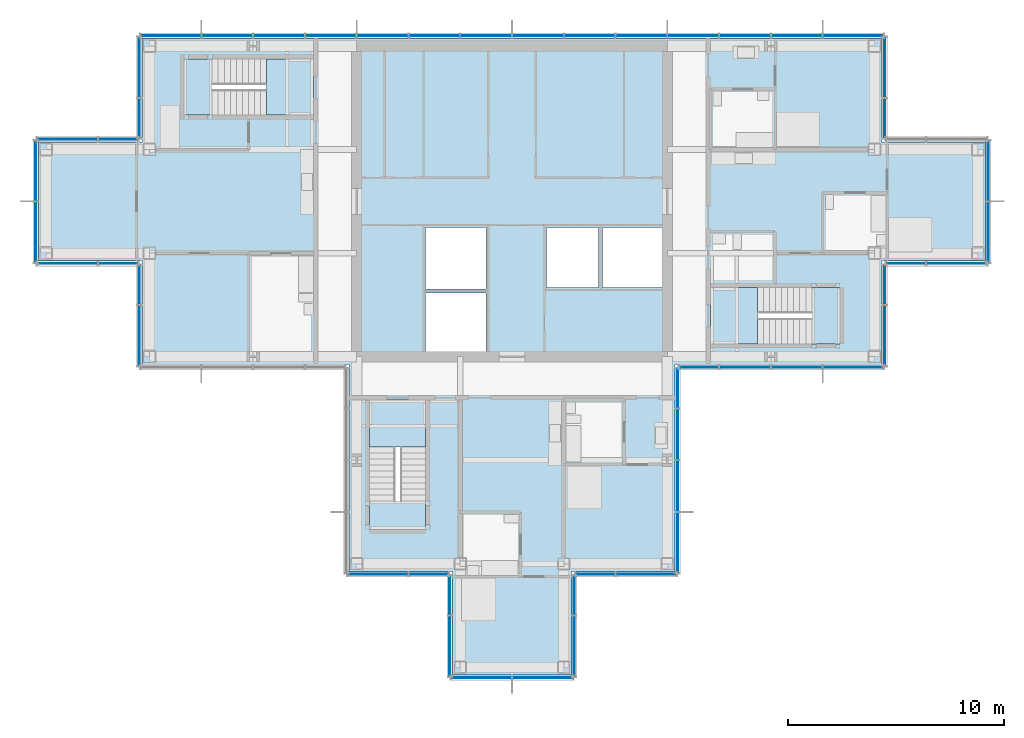
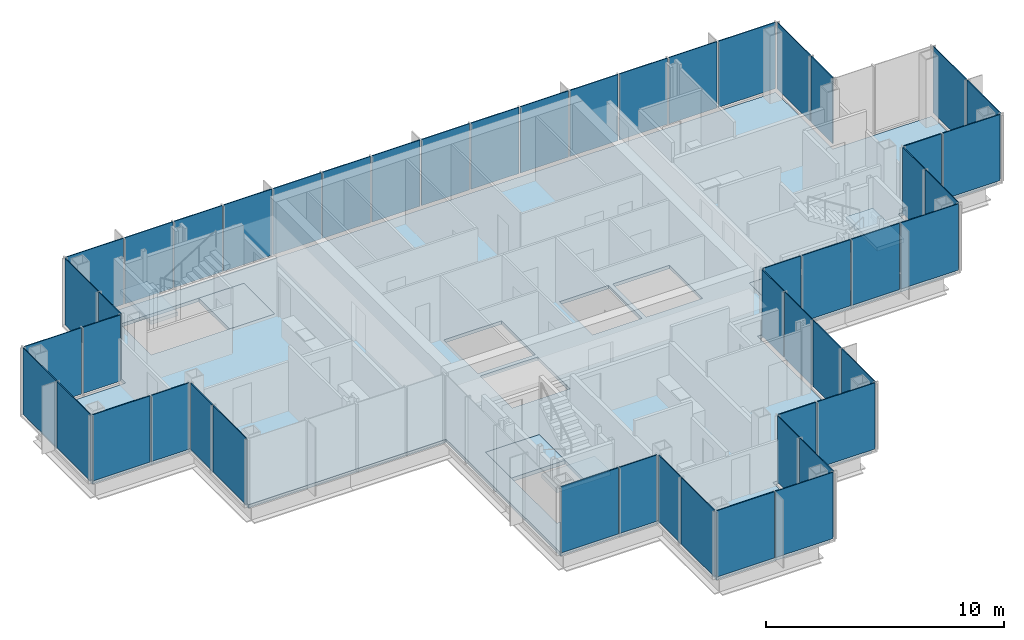
# One storey, part 9 of 15: 50 plates, 7 slabs, 20 elements without a shape of their own.
"""IFC4 building model written with IfcOpenShell, lengths in metres."""

from ifc_helpers import new_model, si_unit, direction, frame, origin, origin_2d, place, context, subcontext, project, spatial, polyline, rectangle, outline, extrude, material, layer, layer_set, type_object, element, aggregate, save


model = new_model("IFC4")

# Units and contexts
model_context = context("Model", 3, precision=1e-05, world=origin(), true_north=direction((0.0, 1.0)))
body_context = subcontext(model_context, "Body", "Model", "MODEL_VIEW")
ifc_project = project(units=[si_unit("LENGTHUNIT", "METRE"), si_unit("AREAUNIT", "SQUARE_METRE"), si_unit("VOLUMEUNIT", "CUBIC_METRE"), si_unit("PLANEANGLEUNIT", "RADIAN"), si_unit("MASSUNIT", "GRAM", prefix="KILO")], contexts=[model_context])

# Site, building, storey
site_placement = place(None, origin())
site = spatial("IfcSite", under=ifc_project, at=site_placement, CompositionType="ELEMENT")
building_placement = place(site_placement, origin())
building = spatial("IfcBuilding", under=site, at=building_placement, Name="Kvirike Care Tower", CompositionType="ELEMENT")
storey_placement = place(building_placement, frame((0.0, 0.0, 219.0)))
storey = spatial("IfcBuildingStorey", under=building, at=storey_placement, Name="L60", CompositionType="ELEMENT", Elevation=219.0)

# Slab
ifc_material_1 = material(Name="Concrete C35/45", Category="concrete")
ifc_layer_1 = layer(ifc_material_1, 0.169921875)
ifc_layer_set_1 = layer_set([ifc_layer_1], Name="FLOOR SLAB 170")
slab_type_1 = type_object("IfcSlabType", Name="FLOOR SLAB 170", PredefinedType="FLOOR", material=ifc_layer_set_1)
slab_1_placement = place(storey_placement, frame((0.0, 0.0, -0.169921875)))
element("IfcSlab", 1, at=slab_1_placement, inside=storey, type_object=slab_type_1, Name="Floor slab L60", PredefinedType="FLOOR", context=body_context, shape_type="SweptSolid", body=[
    extrude(outline(polyline([(29.14990234375, 28.449951171875), (38.75, 28.449951171875), (38.75, 33.25), (43.550048828125, 33.25), (43.550048828125, 38.75), (38.75, 38.75), (38.75, 43.550048828125), (4.449951171875, 43.550048828125), (4.449951171875, 38.75), (-0.35009765625, 38.75), (-0.35009765625, 33.25), (4.449951171875, 33.25), (4.449951171875, 28.449951171875), (14.050048828125, 28.449951171875), (14.050048828125, 18.85009765625), (18.85009765625, 18.85009765625), (18.85009765625, 14.050048828125), (24.35009765625, 14.050048828125), (24.35009765625, 18.85009765625), (29.14990234375, 18.85009765625), (29.14990234375, 28.449951171875)]), holes=[polyline([(17.60009765625, 29.050048828125), (17.60009765625, 31.75), (20.39990234375, 31.75), (20.39990234375, 29.050048828125), (17.60009765625, 29.050048828125)]), polyline([(17.60009765625, 31.949951171875), (17.60009765625, 34.800048828125), (20.39990234375, 34.800048828125), (20.39990234375, 31.949951171875), (17.60009765625, 31.949951171875)]), polyline([(23.199951171875, 32.0), (23.199951171875, 34.800048828125), (25.60009765625, 34.800048828125), (25.60009765625, 32.0), (23.199951171875, 32.0)]), polyline([(25.800048828125, 32.0), (25.800048828125, 34.800048828125), (28.550048828125, 34.800048828125), (28.550048828125, 32.0), (25.800048828125, 32.0)]), polyline([(12.39990234375, 42.60009765625), (12.39990234375, 40.0), (6.39990234375, 40.0), (6.39990234375, 42.60009765625), (12.39990234375, 42.60009765625)]), polyline([(30.800048828125, 29.39990234375), (30.800048828125, 32.0), (36.800048828125, 32.0), (36.800048828125, 29.39990234375), (30.800048828125, 29.39990234375)]), polyline([(15.0, 26.800048828125), (17.60009765625, 26.800048828125), (17.60009765625, 20.800048828125), (15.0, 20.800048828125), (15.0, 26.800048828125)])]), origin(), (0.0, 0.0, 1.0), 0.169921875),
])

# Stair, slabs
ifc_material_2 = material(Name="Concrete C35/45", Category="concrete")
stair_type = type_object("IfcStairType", Name="STAIR 20 RISERS", PredefinedType="HALF_TURN_STAIR", material=ifc_material_2)
stair_1_placement = place(storey_placement, origin())
stair_1 = element("IfcStair", 2, at=stair_1_placement, inside=storey, type_object=stair_type, Name="Stair 1 L60", PredefinedType="HALF_TURN_STAIR")
ifc_material_3 = material(Name="Concrete C35/45", Category="concrete")
ifc_layer_2 = layer(ifc_material_3, 0.199951171875)
ifc_layer_set_2 = layer_set([ifc_layer_2], Name="STAIR LANDING 200")
slab_type_2 = type_object("IfcSlabType", Name="STAIR LANDING 200", PredefinedType="LANDING", material=ifc_layer_set_2)
slab_2_placement = place(storey_placement, frame((0.0, 0.0, -0.199951171875)))
slab_2 = element("IfcSlab", 3, at=slab_2_placement, type_object=slab_type_2, Name="Stair S1 floor landing L60", PredefinedType="LANDING", context=body_context, shape_type="SweptSolid", body=[
    extrude(outline(polyline([(10.219970703125, 42.60009765625), (10.219970703125, 40.0), (12.39990234375, 40.0), (12.39990234375, 42.60009765625), (10.219970703125, 42.60009765625)])), origin(), (0.0, 0.0, 1.0), 0.199951171875),
])
slab_3_placement = place(storey_placement, frame((0.0, 0.0, 1.550048828125)))
slab_3 = element("IfcSlab", 4, at=slab_3_placement, type_object=slab_type_2, Name="Stair S1 half landing L60-L61", PredefinedType="LANDING", context=body_context, shape_type="SweptSolid", body=[
    extrude(outline(polyline([(6.39990234375, 42.60009765625), (6.39990234375, 40.0), (7.699951171875, 40.0), (7.699951171875, 42.60009765625), (6.39990234375, 42.60009765625)])), origin(), (0.0, 0.0, 1.0), 0.199951171875),
])
aggregate(stair_1, [slab_2, slab_3])

stair_2_placement = place(storey_placement, origin())
stair_2 = element("IfcStair", 5, at=stair_2_placement, inside=storey, type_object=stair_type, Name="Stair 2 L60", PredefinedType="HALF_TURN_STAIR")
slab_4_placement = place(storey_placement, frame((0.0, 0.0, -0.199951171875)))
slab_4 = element("IfcSlab", 6, at=slab_4_placement, type_object=slab_type_2, Name="Stair S2 floor landing L60", PredefinedType="LANDING", context=body_context, shape_type="SweptSolid", body=[
    extrude(outline(polyline([(32.97998046875, 29.39990234375), (32.97998046875, 32.0), (30.800048828125, 32.0), (30.800048828125, 29.39990234375), (32.97998046875, 29.39990234375)])), origin(), (0.0, 0.0, 1.0), 0.199951171875),
])
slab_5_placement = place(storey_placement, frame((0.0, 0.0, 1.550048828125)))
slab_5 = element("IfcSlab", 7, at=slab_5_placement, type_object=slab_type_2, Name="Stair S2 half landing L60-L61", PredefinedType="LANDING", context=body_context, shape_type="SweptSolid", body=[
    extrude(outline(polyline([(36.800048828125, 29.39990234375), (36.800048828125, 32.0), (35.5, 32.0), (35.5, 29.39990234375), (36.800048828125, 29.39990234375)])), origin(), (0.0, 0.0, 1.0), 0.199951171875),
])
aggregate(stair_2, [slab_4, slab_5])

stair_3_placement = place(storey_placement, origin())
stair_3 = element("IfcStair", 8, at=stair_3_placement, inside=storey, type_object=stair_type, Name="Stair 5 L60", PredefinedType="HALF_TURN_STAIR")
slab_6_placement = place(storey_placement, frame((0.0, 0.0, -0.199951171875)))
slab_6 = element("IfcSlab", 9, at=slab_6_placement, type_object=slab_type_2, Name="Stair S5 floor landing L60", PredefinedType="LANDING", context=body_context, shape_type="SweptSolid", body=[
    extrude(outline(polyline([(15.0, 24.6201171875), (17.60009765625, 24.6201171875), (17.60009765625, 26.800048828125), (15.0, 26.800048828125), (15.0, 24.6201171875)])), origin(), (0.0, 0.0, 1.0), 0.199951171875),
])
slab_7_placement = place(storey_placement, frame((0.0, 0.0, 1.550048828125)))
slab_7 = element("IfcSlab", 10, at=slab_7_placement, type_object=slab_type_2, Name="Stair S5 half landing L60-L61", PredefinedType="LANDING", context=body_context, shape_type="SweptSolid", body=[
    extrude(outline(polyline([(15.0, 20.800048828125), (17.60009765625, 20.800048828125), (17.60009765625, 22.10009765625), (15.0, 22.10009765625), (15.0, 20.800048828125)])), origin(), (0.0, 0.0, 1.0), 0.199951171875),
])
aggregate(stair_3, [slab_6, slab_7])

# Curtain wall, plates
ifc_material_4 = material(Name="Anodised aluminium stick system", Category="aluminium")
curtain_wall_type = type_object("IfcCurtainWallType", Name="CW-D STICK CURTAIN WALL", PredefinedType="NOTDEFINED", material=ifc_material_4)
curtain_wall_1_placement = place(storey_placement, origin())
curtain_wall_1 = element("IfcCurtainWall", 11, at=curtain_wall_1_placement, inside=storey, type_object=curtain_wall_type, Name="Curtain wall L60 face 1", PredefinedType="NOTDEFINED")
ifc_material_5 = material(Name="Tinted double glazed unit", Category="glass")
ifc_layer_3 = layer(ifc_material_5, 0.0439453125)
ifc_layer_set_3 = layer_set([ifc_layer_3], Name="TINTED VISION PANEL 44")
plate_type = type_object("IfcPlateType", Name="TINTED VISION PANEL 44", PredefinedType="CURTAIN_PANEL", material=ifc_layer_set_3)
plate_1_placement = place(storey_placement, frame((30.25634765625, 28.320068359375, 0.10009765625), z_axis=(0.0, 0.0, 1.0), x_axis=(1.0, 0.0, 0.0)))
plate_1 = element("IfcPlate", 12, at=plate_1_placement, type_object=plate_type, Name="CW-D panel L60 face 1.1", PredefinedType="CURTAIN_PANEL", context=body_context, shape_type="SweptSolid", body=[
    extrude(rectangle(XDim=1.822509765625, YDim=0.0439453125, at=origin_2d()), origin(), (0.0, 0.0, 1.0), 3.39990234375),
])
plate_2_placement = place(storey_placement, frame((32.39990234375, 28.320068359375, 0.10009765625), z_axis=(0.0, 0.0, 1.0), x_axis=(1.0, 0.0, 0.0)))
plate_2 = element("IfcPlate", 13, at=plate_2_placement, type_object=plate_type, Name="CW-D panel L60 face 1.2", PredefinedType="CURTAIN_PANEL", context=body_context, shape_type="SweptSolid", body=[
    extrude(rectangle(XDim=2.3349609375, YDim=0.0439453125, at=origin_2d()), origin(), (0.0, 0.0, 1.0), 3.39990234375),
])
plate_3_placement = place(storey_placement, frame((34.800048828125, 28.320068359375, 0.10009765625), z_axis=(0.0, 0.0, 1.0), x_axis=(1.0, 0.0, 0.0)))
plate_3 = element("IfcPlate", 14, at=plate_3_placement, type_object=plate_type, Name="CW-D panel L60 face 1.3", PredefinedType="CURTAIN_PANEL", context=body_context, shape_type="SweptSolid", body=[
    extrude(rectangle(XDim=2.3349609375, YDim=0.0439453125, at=origin_2d()), origin(), (0.0, 0.0, 1.0), 3.39990234375),
])
plate_4_placement = place(storey_placement, frame((37.423828125, 28.320068359375, 0.10009765625), z_axis=(0.0, 0.0, 1.0), x_axis=(1.0, 0.0, 0.0)))
plate_4 = element("IfcPlate", 15, at=plate_4_placement, type_object=plate_type, Name="CW-D panel L60 face 1.4", PredefinedType="CURTAIN_PANEL", context=body_context, shape_type="SweptSolid", body=[
    extrude(rectangle(XDim=2.782470703125, YDim=0.0439453125, at=origin_2d()), origin(), (0.0, 0.0, 1.0), 3.39990234375),
])
aggregate(curtain_wall_1, [plate_1, plate_2, plate_3, plate_4])

curtain_wall_2_placement = place(storey_placement, origin())
curtain_wall_2 = element("IfcCurtainWall", 16, at=curtain_wall_2_placement, inside=storey, type_object=curtain_wall_type, Name="Curtain wall L60 face 2", PredefinedType="NOTDEFINED")
plate_5_placement = place(storey_placement, frame((38.8798828125, 29.7763671875, 0.10009765625), z_axis=(0.0, 0.0, 1.0), x_axis=(0.0, 1.0, 0.0)))
plate_5 = element("IfcPlate", 17, at=plate_5_placement, type_object=plate_type, Name="CW-D panel L60 face 2.1", PredefinedType="CURTAIN_PANEL", context=body_context, shape_type="SweptSolid", body=[
    extrude(rectangle(XDim=2.782470703125, YDim=0.0439453125, at=origin_2d()), origin(), (0.0, 0.0, 1.0), 3.39990234375),
])
plate_6_placement = place(storey_placement, frame((38.8798828125, 32.143798828125, 0.10009765625), z_axis=(0.0, 0.0, 1.0), x_axis=(0.0, 1.0, 0.0)))
plate_6 = element("IfcPlate", 18, at=plate_6_placement, type_object=plate_type, Name="CW-D panel L60 face 2.2", PredefinedType="CURTAIN_PANEL", context=body_context, shape_type="SweptSolid", body=[
    extrude(rectangle(XDim=1.822509765625, YDim=0.0439453125, at=origin_2d()), origin(), (0.0, 0.0, 1.0), 3.39990234375),
])
aggregate(curtain_wall_2, [plate_5, plate_6])

curtain_wall_3_placement = place(storey_placement, origin())
curtain_wall_3 = element("IfcCurtainWall", 19, at=curtain_wall_3_placement, inside=storey, type_object=curtain_wall_type, Name="Curtain wall L60 face 3", PredefinedType="NOTDEFINED")
plate_7_placement = place(storey_placement, frame((39.856201171875, 33.1201171875, 0.10009765625), z_axis=(0.0, 0.0, 1.0), x_axis=(1.0, 0.0, 0.0)))
plate_7 = element("IfcPlate", 20, at=plate_7_placement, type_object=plate_type, Name="CW-D panel L60 face 3.1", PredefinedType="CURTAIN_PANEL", context=body_context, shape_type="SweptSolid", body=[
    extrude(rectangle(XDim=1.822509765625, YDim=0.0439453125, at=origin_2d()), origin(), (0.0, 0.0, 1.0), 3.39990234375),
])
plate_8_placement = place(storey_placement, frame((42.2236328125, 33.1201171875, 0.10009765625), z_axis=(0.0, 0.0, 1.0), x_axis=(1.0, 0.0, 0.0)))
plate_8 = element("IfcPlate", 21, at=plate_8_placement, type_object=plate_type, Name="CW-D panel L60 face 3.2", PredefinedType="CURTAIN_PANEL", context=body_context, shape_type="SweptSolid", body=[
    extrude(rectangle(XDim=2.782470703125, YDim=0.0439453125, at=origin_2d()), origin(), (0.0, 0.0, 1.0), 3.39990234375),
])
aggregate(curtain_wall_3, [plate_7, plate_8])

curtain_wall_4_placement = place(storey_placement, origin())
curtain_wall_4 = element("IfcCurtainWall", 22, at=curtain_wall_4_placement, inside=storey, type_object=curtain_wall_type, Name="Curtain wall L60 face 4", PredefinedType="NOTDEFINED")
plate_9_placement = place(storey_placement, frame((43.679931640625, 34.576171875, 0.10009765625), z_axis=(0.0, 0.0, 1.0), x_axis=(0.0, 1.0, 0.0)))
plate_9 = element("IfcPlate", 23, at=plate_9_placement, type_object=plate_type, Name="CW-D panel L60 face 4.1", PredefinedType="CURTAIN_PANEL", context=body_context, shape_type="SweptSolid", body=[
    extrude(rectangle(XDim=2.782470703125, YDim=0.0439453125, at=origin_2d()), origin(), (0.0, 0.0, 1.0), 3.39990234375),
])
plate_10_placement = place(storey_placement, frame((43.679931640625, 37.423828125, 0.10009765625), z_axis=(0.0, 0.0, 1.0), x_axis=(0.0, 1.0, 0.0)))
plate_10 = element("IfcPlate", 24, at=plate_10_placement, type_object=plate_type, Name="CW-D panel L60 face 4.2", PredefinedType="CURTAIN_PANEL", context=body_context, shape_type="SweptSolid", body=[
    extrude(rectangle(XDim=2.782470703125, YDim=0.0439453125, at=origin_2d()), origin(), (0.0, 0.0, 1.0), 3.39990234375),
])
aggregate(curtain_wall_4, [plate_9, plate_10])

curtain_wall_5_placement = place(storey_placement, origin())
curtain_wall_5 = element("IfcCurtainWall", 25, at=curtain_wall_5_placement, inside=storey, type_object=curtain_wall_type, Name="Curtain wall L60 face 6", PredefinedType="NOTDEFINED")
plate_11_placement = place(storey_placement, frame((38.8798828125, 39.856201171875, 0.10009765625), z_axis=(0.0, 0.0, 1.0), x_axis=(0.0, 1.0, 0.0)))
plate_11 = element("IfcPlate", 26, at=plate_11_placement, type_object=plate_type, Name="CW-D panel L60 face 6.1", PredefinedType="CURTAIN_PANEL", context=body_context, shape_type="SweptSolid", body=[
    extrude(rectangle(XDim=1.822509765625, YDim=0.0439453125, at=origin_2d()), origin(), (0.0, 0.0, 1.0), 3.39990234375),
])
plate_12_placement = place(storey_placement, frame((38.8798828125, 42.2236328125, 0.10009765625), z_axis=(0.0, 0.0, 1.0), x_axis=(0.0, 1.0, 0.0)))
plate_12 = element("IfcPlate", 27, at=plate_12_placement, type_object=plate_type, Name="CW-D panel L60 face 6.2", PredefinedType="CURTAIN_PANEL", context=body_context, shape_type="SweptSolid", body=[
    extrude(rectangle(XDim=2.782470703125, YDim=0.0439453125, at=origin_2d()), origin(), (0.0, 0.0, 1.0), 3.39990234375),
])
aggregate(curtain_wall_5, [plate_11, plate_12])

curtain_wall_6_placement = place(storey_placement, origin())
curtain_wall_6 = element("IfcCurtainWall", 28, at=curtain_wall_6_placement, inside=storey, type_object=curtain_wall_type, Name="Curtain wall L60 face 7", PredefinedType="NOTDEFINED")
plate_13_placement = place(storey_placement, frame((37.423828125, 43.679931640625, 0.10009765625), z_axis=(0.0, 0.0, 1.0), x_axis=(-1.0, 0.0, 0.0)))
plate_13 = element("IfcPlate", 29, at=plate_13_placement, type_object=plate_type, Name="CW-D panel L60 face 7.1", PredefinedType="CURTAIN_PANEL", context=body_context, shape_type="SweptSolid", body=[
    extrude(rectangle(XDim=2.782470703125, YDim=0.0439453125, at=origin_2d()), origin(), (0.0, 0.0, 1.0), 3.39990234375),
])
plate_14_placement = place(storey_placement, frame((34.800048828125, 43.679931640625, 0.10009765625), z_axis=(0.0, 0.0, 1.0), x_axis=(-1.0, 0.0, 0.0)))
plate_14 = element("IfcPlate", 30, at=plate_14_placement, type_object=plate_type, Name="CW-D panel L60 face 7.2", PredefinedType="CURTAIN_PANEL", context=body_context, shape_type="SweptSolid", body=[
    extrude(rectangle(XDim=2.3349609375, YDim=0.0439453125, at=origin_2d()), origin(), (0.0, 0.0, 1.0), 3.39990234375),
])
plate_15_placement = place(storey_placement, frame((32.39990234375, 43.679931640625, 0.10009765625), z_axis=(0.0, 0.0, 1.0), x_axis=(-1.0, 0.0, 0.0)))
plate_15 = element("IfcPlate", 31, at=plate_15_placement, type_object=plate_type, Name="CW-D panel L60 face 7.3", PredefinedType="CURTAIN_PANEL", context=body_context, shape_type="SweptSolid", body=[
    extrude(rectangle(XDim=2.3349609375, YDim=0.0439453125, at=origin_2d()), origin(), (0.0, 0.0, 1.0), 3.39990234375),
])
plate_16_placement = place(storey_placement, frame((30.0, 43.679931640625, 0.10009765625), z_axis=(0.0, 0.0, 1.0), x_axis=(-1.0, 0.0, 0.0)))
plate_16 = element("IfcPlate", 32, at=plate_16_placement, type_object=plate_type, Name="CW-D panel L60 face 7.4", PredefinedType="CURTAIN_PANEL", context=body_context, shape_type="SweptSolid", body=[
    extrude(rectangle(XDim=2.3349609375, YDim=0.0439453125, at=origin_2d()), origin(), (0.0, 0.0, 1.0), 3.39990234375),
])
plate_17_placement = place(storey_placement, frame((27.60009765625, 43.679931640625, 0.10009765625), z_axis=(0.0, 0.0, 1.0), x_axis=(-1.0, 0.0, 0.0)))
plate_17 = element("IfcPlate", 33, at=plate_17_placement, type_object=plate_type, Name="CW-D panel L60 face 7.5", PredefinedType="CURTAIN_PANEL", context=body_context, shape_type="SweptSolid", body=[
    extrude(rectangle(XDim=2.3349609375, YDim=0.0439453125, at=origin_2d()), origin(), (0.0, 0.0, 1.0), 3.39990234375),
])
plate_18_placement = place(storey_placement, frame((25.199951171875, 43.679931640625, 0.10009765625), z_axis=(0.0, 0.0, 1.0), x_axis=(-1.0, 0.0, 0.0)))
plate_18 = element("IfcPlate", 34, at=plate_18_placement, type_object=plate_type, Name="CW-D panel L60 face 7.6", PredefinedType="CURTAIN_PANEL", context=body_context, shape_type="SweptSolid", body=[
    extrude(rectangle(XDim=2.3349609375, YDim=0.0439453125, at=origin_2d()), origin(), (0.0, 0.0, 1.0), 3.39990234375),
])
plate_19_placement = place(storey_placement, frame((22.800048828125, 43.679931640625, 0.10009765625), z_axis=(0.0, 0.0, 1.0), x_axis=(-1.0, 0.0, 0.0)))
plate_19 = element("IfcPlate", 35, at=plate_19_placement, type_object=plate_type, Name="CW-D panel L60 face 7.7", PredefinedType="CURTAIN_PANEL", context=body_context, shape_type="SweptSolid", body=[
    extrude(rectangle(XDim=2.3349609375, YDim=0.0439453125, at=origin_2d()), origin(), (0.0, 0.0, 1.0), 3.39990234375),
])
plate_20_placement = place(storey_placement, frame((20.39990234375, 43.679931640625, 0.10009765625), z_axis=(0.0, 0.0, 1.0), x_axis=(-1.0, 0.0, 0.0)))
plate_20 = element("IfcPlate", 36, at=plate_20_placement, type_object=plate_type, Name="CW-D panel L60 face 7.8", PredefinedType="CURTAIN_PANEL", context=body_context, shape_type="SweptSolid", body=[
    extrude(rectangle(XDim=2.3349609375, YDim=0.0439453125, at=origin_2d()), origin(), (0.0, 0.0, 1.0), 3.39990234375),
])
plate_21_placement = place(storey_placement, frame((18.0, 43.679931640625, 0.10009765625), z_axis=(0.0, 0.0, 1.0), x_axis=(-1.0, 0.0, 0.0)))
plate_21 = element("IfcPlate", 37, at=plate_21_placement, type_object=plate_type, Name="CW-D panel L60 face 7.9", PredefinedType="CURTAIN_PANEL", context=body_context, shape_type="SweptSolid", body=[
    extrude(rectangle(XDim=2.3349609375, YDim=0.0439453125, at=origin_2d()), origin(), (0.0, 0.0, 1.0), 3.39990234375),
])
plate_22_placement = place(storey_placement, frame((15.60009765625, 43.679931640625, 0.10009765625), z_axis=(0.0, 0.0, 1.0), x_axis=(-1.0, 0.0, 0.0)))
plate_22 = element("IfcPlate", 38, at=plate_22_placement, type_object=plate_type, Name="CW-D panel L60 face 7.10", PredefinedType="CURTAIN_PANEL", context=body_context, shape_type="SweptSolid", body=[
    extrude(rectangle(XDim=2.3349609375, YDim=0.0439453125, at=origin_2d()), origin(), (0.0, 0.0, 1.0), 3.39990234375),
])
plate_23_placement = place(storey_placement, frame((13.199951171875, 43.679931640625, 0.10009765625), z_axis=(0.0, 0.0, 1.0), x_axis=(-1.0, 0.0, 0.0)))
plate_23 = element("IfcPlate", 39, at=plate_23_placement, type_object=plate_type, Name="CW-D panel L60 face 7.11", PredefinedType="CURTAIN_PANEL", context=body_context, shape_type="SweptSolid", body=[
    extrude(rectangle(XDim=2.3349609375, YDim=0.0439453125, at=origin_2d()), origin(), (0.0, 0.0, 1.0), 3.39990234375),
])
plate_24_placement = place(storey_placement, frame((10.800048828125, 43.679931640625, 0.10009765625), z_axis=(0.0, 0.0, 1.0), x_axis=(-1.0, 0.0, 0.0)))
plate_24 = element("IfcPlate", 40, at=plate_24_placement, type_object=plate_type, Name="CW-D panel L60 face 7.12", PredefinedType="CURTAIN_PANEL", context=body_context, shape_type="SweptSolid", body=[
    extrude(rectangle(XDim=2.3349609375, YDim=0.0439453125, at=origin_2d()), origin(), (0.0, 0.0, 1.0), 3.39990234375),
])
plate_25_placement = place(storey_placement, frame((8.39990234375, 43.679931640625, 0.10009765625), z_axis=(0.0, 0.0, 1.0), x_axis=(-1.0, 0.0, 0.0)))
plate_25 = element("IfcPlate", 41, at=plate_25_placement, type_object=plate_type, Name="CW-D panel L60 face 7.13", PredefinedType="CURTAIN_PANEL", context=body_context, shape_type="SweptSolid", body=[
    extrude(rectangle(XDim=2.3349609375, YDim=0.0439453125, at=origin_2d()), origin(), (0.0, 0.0, 1.0), 3.39990234375),
])
plate_26_placement = place(storey_placement, frame((5.7763671875, 43.679931640625, 0.10009765625), z_axis=(0.0, 0.0, 1.0), x_axis=(-1.0, 0.0, 0.0)))
plate_26 = element("IfcPlate", 42, at=plate_26_placement, type_object=plate_type, Name="CW-D panel L60 face 7.14", PredefinedType="CURTAIN_PANEL", context=body_context, shape_type="SweptSolid", body=[
    extrude(rectangle(XDim=2.782470703125, YDim=0.0439453125, at=origin_2d()), origin(), (0.0, 0.0, 1.0), 3.39990234375),
])
aggregate(curtain_wall_6, [plate_13, plate_14, plate_15, plate_16, plate_17, plate_18, plate_19, plate_20, plate_21, plate_22, plate_23, plate_24, plate_25, plate_26])

curtain_wall_7_placement = place(storey_placement, origin())
curtain_wall_7 = element("IfcCurtainWall", 43, at=curtain_wall_7_placement, inside=storey, type_object=curtain_wall_type, Name="Curtain wall L60 face 8", PredefinedType="NOTDEFINED")
plate_27_placement = place(storey_placement, frame((4.320068359375, 42.2236328125, 0.10009765625), z_axis=(0.0, 0.0, 1.0), x_axis=(0.0, -1.0, 0.0)))
plate_27 = element("IfcPlate", 44, at=plate_27_placement, type_object=plate_type, Name="CW-D panel L60 face 8.1", PredefinedType="CURTAIN_PANEL", context=body_context, shape_type="SweptSolid", body=[
    extrude(rectangle(XDim=2.782470703125, YDim=0.0439453125, at=origin_2d()), origin(), (0.0, 0.0, 1.0), 3.39990234375),
])
plate_28_placement = place(storey_placement, frame((4.320068359375, 39.856201171875, 0.10009765625), z_axis=(0.0, 0.0, 1.0), x_axis=(0.0, -1.0, 0.0)))
plate_28 = element("IfcPlate", 45, at=plate_28_placement, type_object=plate_type, Name="CW-D panel L60 face 8.2", PredefinedType="CURTAIN_PANEL", context=body_context, shape_type="SweptSolid", body=[
    extrude(rectangle(XDim=1.822509765625, YDim=0.0439453125, at=origin_2d()), origin(), (0.0, 0.0, 1.0), 3.39990234375),
])
aggregate(curtain_wall_7, [plate_27, plate_28])

curtain_wall_8_placement = place(storey_placement, origin())
curtain_wall_8 = element("IfcCurtainWall", 46, at=curtain_wall_8_placement, inside=storey, type_object=curtain_wall_type, Name="Curtain wall L60 face 9", PredefinedType="NOTDEFINED")
plate_29_placement = place(storey_placement, frame((3.34375, 38.8798828125, 0.10009765625), z_axis=(0.0, 0.0, 1.0), x_axis=(-1.0, 0.0, 0.0)))
plate_29 = element("IfcPlate", 47, at=plate_29_placement, type_object=plate_type, Name="CW-D panel L60 face 9.1", PredefinedType="CURTAIN_PANEL", context=body_context, shape_type="SweptSolid", body=[
    extrude(rectangle(XDim=1.822509765625, YDim=0.0439453125, at=origin_2d()), origin(), (0.0, 0.0, 1.0), 3.39990234375),
])
plate_30_placement = place(storey_placement, frame((0.976318359375, 38.8798828125, 0.10009765625), z_axis=(0.0, 0.0, 1.0), x_axis=(-1.0, 0.0, 0.0)))
plate_30 = element("IfcPlate", 48, at=plate_30_placement, type_object=plate_type, Name="CW-D panel L60 face 9.2", PredefinedType="CURTAIN_PANEL", context=body_context, shape_type="SweptSolid", body=[
    extrude(rectangle(XDim=2.782470703125, YDim=0.0439453125, at=origin_2d()), origin(), (0.0, 0.0, 1.0), 3.39990234375),
])
aggregate(curtain_wall_8, [plate_29, plate_30])

curtain_wall_9_placement = place(storey_placement, origin())
curtain_wall_9 = element("IfcCurtainWall", 49, at=curtain_wall_9_placement, inside=storey, type_object=curtain_wall_type, Name="Curtain wall L60 face 10", PredefinedType="NOTDEFINED")
plate_31_placement = place(storey_placement, frame((-0.47998046875, 37.423828125, 0.10009765625), z_axis=(0.0, 0.0, 1.0), x_axis=(0.0, -1.0, 0.0)))
plate_31 = element("IfcPlate", 50, at=plate_31_placement, type_object=plate_type, Name="CW-D panel L60 face 10.1", PredefinedType="CURTAIN_PANEL", context=body_context, shape_type="SweptSolid", body=[
    extrude(rectangle(XDim=2.782470703125, YDim=0.0439453125, at=origin_2d()), origin(), (0.0, 0.0, 1.0), 3.39990234375),
])
plate_32_placement = place(storey_placement, frame((-0.47998046875, 34.576171875, 0.10009765625), z_axis=(0.0, 0.0, 1.0), x_axis=(0.0, -1.0, 0.0)))
plate_32 = element("IfcPlate", 51, at=plate_32_placement, type_object=plate_type, Name="CW-D panel L60 face 10.2", PredefinedType="CURTAIN_PANEL", context=body_context, shape_type="SweptSolid", body=[
    extrude(rectangle(XDim=2.782470703125, YDim=0.0439453125, at=origin_2d()), origin(), (0.0, 0.0, 1.0), 3.39990234375),
])
aggregate(curtain_wall_9, [plate_31, plate_32])

curtain_wall_10_placement = place(storey_placement, origin())
curtain_wall_10 = element("IfcCurtainWall", 52, at=curtain_wall_10_placement, inside=storey, type_object=curtain_wall_type, Name="Curtain wall L60 face 11", PredefinedType="NOTDEFINED")
plate_33_placement = place(storey_placement, frame((0.976318359375, 33.1201171875, 0.10009765625), z_axis=(0.0, 0.0, 1.0), x_axis=(1.0, 0.0, 0.0)))
plate_33 = element("IfcPlate", 53, at=plate_33_placement, type_object=plate_type, Name="CW-D panel L60 face 11.1", PredefinedType="CURTAIN_PANEL", context=body_context, shape_type="SweptSolid", body=[
    extrude(rectangle(XDim=2.782470703125, YDim=0.0439453125, at=origin_2d()), origin(), (0.0, 0.0, 1.0), 3.39990234375),
])
plate_34_placement = place(storey_placement, frame((3.34375, 33.1201171875, 0.10009765625), z_axis=(0.0, 0.0, 1.0), x_axis=(1.0, 0.0, 0.0)))
plate_34 = element("IfcPlate", 54, at=plate_34_placement, type_object=plate_type, Name="CW-D panel L60 face 11.2", PredefinedType="CURTAIN_PANEL", context=body_context, shape_type="SweptSolid", body=[
    extrude(rectangle(XDim=1.822509765625, YDim=0.0439453125, at=origin_2d()), origin(), (0.0, 0.0, 1.0), 3.39990234375),
])
aggregate(curtain_wall_10, [plate_33, plate_34])

curtain_wall_11_placement = place(storey_placement, origin())
curtain_wall_11 = element("IfcCurtainWall", 55, at=curtain_wall_11_placement, inside=storey, type_object=curtain_wall_type, Name="Curtain wall L60 face 12", PredefinedType="NOTDEFINED")
plate_35_placement = place(storey_placement, frame((4.320068359375, 32.143798828125, 0.10009765625), z_axis=(0.0, 0.0, 1.0), x_axis=(0.0, -1.0, 0.0)))
plate_35 = element("IfcPlate", 56, at=plate_35_placement, type_object=plate_type, Name="CW-D panel L60 face 12.1", PredefinedType="CURTAIN_PANEL", context=body_context, shape_type="SweptSolid", body=[
    extrude(rectangle(XDim=1.822509765625, YDim=0.0439453125, at=origin_2d()), origin(), (0.0, 0.0, 1.0), 3.39990234375),
])
plate_36_placement = place(storey_placement, frame((4.320068359375, 29.7763671875, 0.10009765625), z_axis=(0.0, 0.0, 1.0), x_axis=(0.0, -1.0, 0.0)))
plate_36 = element("IfcPlate", 57, at=plate_36_placement, type_object=plate_type, Name="CW-D panel L60 face 12.2", PredefinedType="CURTAIN_PANEL", context=body_context, shape_type="SweptSolid", body=[
    extrude(rectangle(XDim=2.782470703125, YDim=0.0439453125, at=origin_2d()), origin(), (0.0, 0.0, 1.0), 3.39990234375),
])
aggregate(curtain_wall_11, [plate_35, plate_36])

curtain_wall_12_placement = place(storey_placement, origin())
curtain_wall_12 = element("IfcCurtainWall", 58, at=curtain_wall_12_placement, inside=storey, type_object=curtain_wall_type, Name="Curtain wall L60 face 15", PredefinedType="NOTDEFINED")
plate_37_placement = place(storey_placement, frame((15.376220703125, 18.719970703125, 0.10009765625), z_axis=(0.0, 0.0, 1.0), x_axis=(1.0, 0.0, 0.0)))
plate_37 = element("IfcPlate", 59, at=plate_37_placement, type_object=plate_type, Name="CW-D panel L60 face 15.1", PredefinedType="CURTAIN_PANEL", context=body_context, shape_type="SweptSolid", body=[
    extrude(rectangle(XDim=2.782470703125, YDim=0.0439453125, at=origin_2d()), origin(), (0.0, 0.0, 1.0), 3.39990234375),
])
plate_38_placement = place(storey_placement, frame((17.74365234375, 18.719970703125, 0.10009765625), z_axis=(0.0, 0.0, 1.0), x_axis=(1.0, 0.0, 0.0)))
plate_38 = element("IfcPlate", 60, at=plate_38_placement, type_object=plate_type, Name="CW-D panel L60 face 15.2", PredefinedType="CURTAIN_PANEL", context=body_context, shape_type="SweptSolid", body=[
    extrude(rectangle(XDim=1.822509765625, YDim=0.0439453125, at=origin_2d()), origin(), (0.0, 0.0, 1.0), 3.39990234375),
])
aggregate(curtain_wall_12, [plate_37, plate_38])

curtain_wall_13_placement = place(storey_placement, origin())
curtain_wall_13 = element("IfcCurtainWall", 61, at=curtain_wall_13_placement, inside=storey, type_object=curtain_wall_type, Name="Curtain wall L60 face 16", PredefinedType="NOTDEFINED")
plate_39_placement = place(storey_placement, frame((18.719970703125, 17.74365234375, 0.10009765625), z_axis=(0.0, 0.0, 1.0), x_axis=(0.0, -1.0, 0.0)))
plate_39 = element("IfcPlate", 62, at=plate_39_placement, type_object=plate_type, Name="CW-D panel L60 face 16.1", PredefinedType="CURTAIN_PANEL", context=body_context, shape_type="SweptSolid", body=[
    extrude(rectangle(XDim=1.822509765625, YDim=0.0439453125, at=origin_2d()), origin(), (0.0, 0.0, 1.0), 3.39990234375),
])
plate_40_placement = place(storey_placement, frame((18.719970703125, 15.376220703125, 0.10009765625), z_axis=(0.0, 0.0, 1.0), x_axis=(0.0, -1.0, 0.0)))
plate_40 = element("IfcPlate", 63, at=plate_40_placement, type_object=plate_type, Name="CW-D panel L60 face 16.2", PredefinedType="CURTAIN_PANEL", context=body_context, shape_type="SweptSolid", body=[
    extrude(rectangle(XDim=2.782470703125, YDim=0.0439453125, at=origin_2d()), origin(), (0.0, 0.0, 1.0), 3.39990234375),
])
aggregate(curtain_wall_13, [plate_39, plate_40])

curtain_wall_14_placement = place(storey_placement, origin())
curtain_wall_14 = element("IfcCurtainWall", 64, at=curtain_wall_14_placement, inside=storey, type_object=curtain_wall_type, Name="Curtain wall L60 face 17", PredefinedType="NOTDEFINED")
plate_41_placement = place(storey_placement, frame((20.17626953125, 13.919921875, 0.10009765625), z_axis=(0.0, 0.0, 1.0), x_axis=(1.0, 0.0, 0.0)))
plate_41 = element("IfcPlate", 65, at=plate_41_placement, type_object=plate_type, Name="CW-D panel L60 face 17.1", PredefinedType="CURTAIN_PANEL", context=body_context, shape_type="SweptSolid", body=[
    extrude(rectangle(XDim=2.782470703125, YDim=0.0439453125, at=origin_2d()), origin(), (0.0, 0.0, 1.0), 3.39990234375),
])
plate_42_placement = place(storey_placement, frame((23.023681640625, 13.919921875, 0.10009765625), z_axis=(0.0, 0.0, 1.0), x_axis=(1.0, 0.0, 0.0)))
plate_42 = element("IfcPlate", 66, at=plate_42_placement, type_object=plate_type, Name="CW-D panel L60 face 17.2", PredefinedType="CURTAIN_PANEL", context=body_context, shape_type="SweptSolid", body=[
    extrude(rectangle(XDim=2.782470703125, YDim=0.0439453125, at=origin_2d()), origin(), (0.0, 0.0, 1.0), 3.39990234375),
])
aggregate(curtain_wall_14, [plate_41, plate_42])

curtain_wall_15_placement = place(storey_placement, origin())
curtain_wall_15 = element("IfcCurtainWall", 67, at=curtain_wall_15_placement, inside=storey, type_object=curtain_wall_type, Name="Curtain wall L60 face 18", PredefinedType="NOTDEFINED")
plate_43_placement = place(storey_placement, frame((24.47998046875, 15.376220703125, 0.10009765625), z_axis=(0.0, 0.0, 1.0), x_axis=(0.0, 1.0, 0.0)))
plate_43 = element("IfcPlate", 68, at=plate_43_placement, type_object=plate_type, Name="CW-D panel L60 face 18.1", PredefinedType="CURTAIN_PANEL", context=body_context, shape_type="SweptSolid", body=[
    extrude(rectangle(XDim=2.782470703125, YDim=0.0439453125, at=origin_2d()), origin(), (0.0, 0.0, 1.0), 3.39990234375),
])
plate_44_placement = place(storey_placement, frame((24.47998046875, 17.74365234375, 0.10009765625), z_axis=(0.0, 0.0, 1.0), x_axis=(0.0, 1.0, 0.0)))
plate_44 = element("IfcPlate", 69, at=plate_44_placement, type_object=plate_type, Name="CW-D panel L60 face 18.2", PredefinedType="CURTAIN_PANEL", context=body_context, shape_type="SweptSolid", body=[
    extrude(rectangle(XDim=1.822509765625, YDim=0.0439453125, at=origin_2d()), origin(), (0.0, 0.0, 1.0), 3.39990234375),
])
aggregate(curtain_wall_15, [plate_43, plate_44])

curtain_wall_16_placement = place(storey_placement, origin())
curtain_wall_16 = element("IfcCurtainWall", 70, at=curtain_wall_16_placement, inside=storey, type_object=curtain_wall_type, Name="Curtain wall L60 face 19", PredefinedType="NOTDEFINED")
plate_45_placement = place(storey_placement, frame((25.456298828125, 18.719970703125, 0.10009765625), z_axis=(0.0, 0.0, 1.0), x_axis=(1.0, 0.0, 0.0)))
plate_45 = element("IfcPlate", 71, at=plate_45_placement, type_object=plate_type, Name="CW-D panel L60 face 19.1", PredefinedType="CURTAIN_PANEL", context=body_context, shape_type="SweptSolid", body=[
    extrude(rectangle(XDim=1.822509765625, YDim=0.0439453125, at=origin_2d()), origin(), (0.0, 0.0, 1.0), 3.39990234375),
])
plate_46_placement = place(storey_placement, frame((27.82373046875, 18.719970703125, 0.10009765625), z_axis=(0.0, 0.0, 1.0), x_axis=(1.0, 0.0, 0.0)))
plate_46 = element("IfcPlate", 72, at=plate_46_placement, type_object=plate_type, Name="CW-D panel L60 face 19.2", PredefinedType="CURTAIN_PANEL", context=body_context, shape_type="SweptSolid", body=[
    extrude(rectangle(XDim=2.782470703125, YDim=0.0439453125, at=origin_2d()), origin(), (0.0, 0.0, 1.0), 3.39990234375),
])
aggregate(curtain_wall_16, [plate_45, plate_46])

curtain_wall_17_placement = place(storey_placement, origin())
curtain_wall_17 = element("IfcCurtainWall", 73, at=curtain_wall_17_placement, inside=storey, type_object=curtain_wall_type, Name="Curtain wall L60 face 20", PredefinedType="NOTDEFINED")
plate_47_placement = place(storey_placement, frame((29.280029296875, 20.17626953125, 0.10009765625), z_axis=(0.0, 0.0, 1.0), x_axis=(0.0, 1.0, 0.0)))
plate_47 = element("IfcPlate", 74, at=plate_47_placement, type_object=plate_type, Name="CW-D panel L60 face 20.1", PredefinedType="CURTAIN_PANEL", context=body_context, shape_type="SweptSolid", body=[
    extrude(rectangle(XDim=2.782470703125, YDim=0.0439453125, at=origin_2d()), origin(), (0.0, 0.0, 1.0), 3.39990234375),
])
plate_48_placement = place(storey_placement, frame((29.280029296875, 22.800048828125, 0.10009765625), z_axis=(0.0, 0.0, 1.0), x_axis=(0.0, 1.0, 0.0)))
plate_48 = element("IfcPlate", 75, at=plate_48_placement, type_object=plate_type, Name="CW-D panel L60 face 20.2", PredefinedType="CURTAIN_PANEL", context=body_context, shape_type="SweptSolid", body=[
    extrude(rectangle(XDim=2.3349609375, YDim=0.0439453125, at=origin_2d()), origin(), (0.0, 0.0, 1.0), 3.39990234375),
])
plate_49_placement = place(storey_placement, frame((29.280029296875, 25.199951171875, 0.10009765625), z_axis=(0.0, 0.0, 1.0), x_axis=(0.0, 1.0, 0.0)))
plate_49 = element("IfcPlate", 76, at=plate_49_placement, type_object=plate_type, Name="CW-D panel L60 face 20.3", PredefinedType="CURTAIN_PANEL", context=body_context, shape_type="SweptSolid", body=[
    extrude(rectangle(XDim=2.3349609375, YDim=0.0439453125, at=origin_2d()), origin(), (0.0, 0.0, 1.0), 3.39990234375),
])
plate_50_placement = place(storey_placement, frame((29.280029296875, 27.34375, 0.10009765625), z_axis=(0.0, 0.0, 1.0), x_axis=(0.0, 1.0, 0.0)))
plate_50 = element("IfcPlate", 77, at=plate_50_placement, type_object=plate_type, Name="CW-D panel L60 face 20.4", PredefinedType="CURTAIN_PANEL", context=body_context, shape_type="SweptSolid", body=[
    extrude(rectangle(XDim=1.822509765625, YDim=0.0439453125, at=origin_2d()), origin(), (0.0, 0.0, 1.0), 3.39990234375),
])
aggregate(curtain_wall_17, [plate_47, plate_48, plate_49, plate_50])

save(model, "model.ifc")
